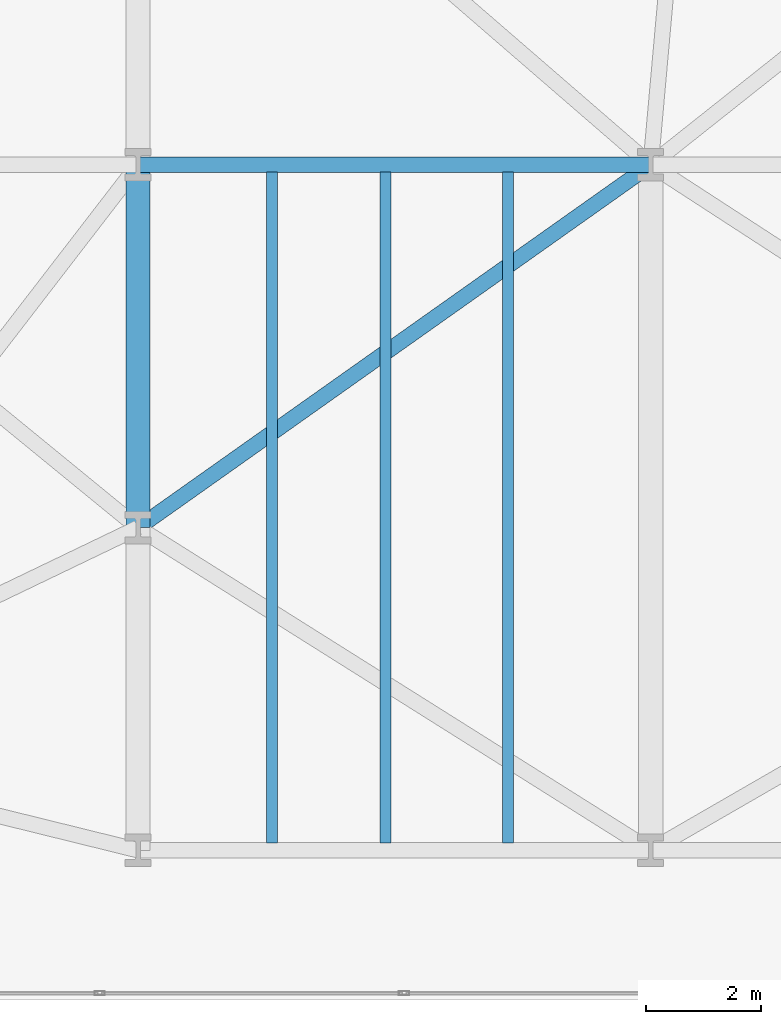
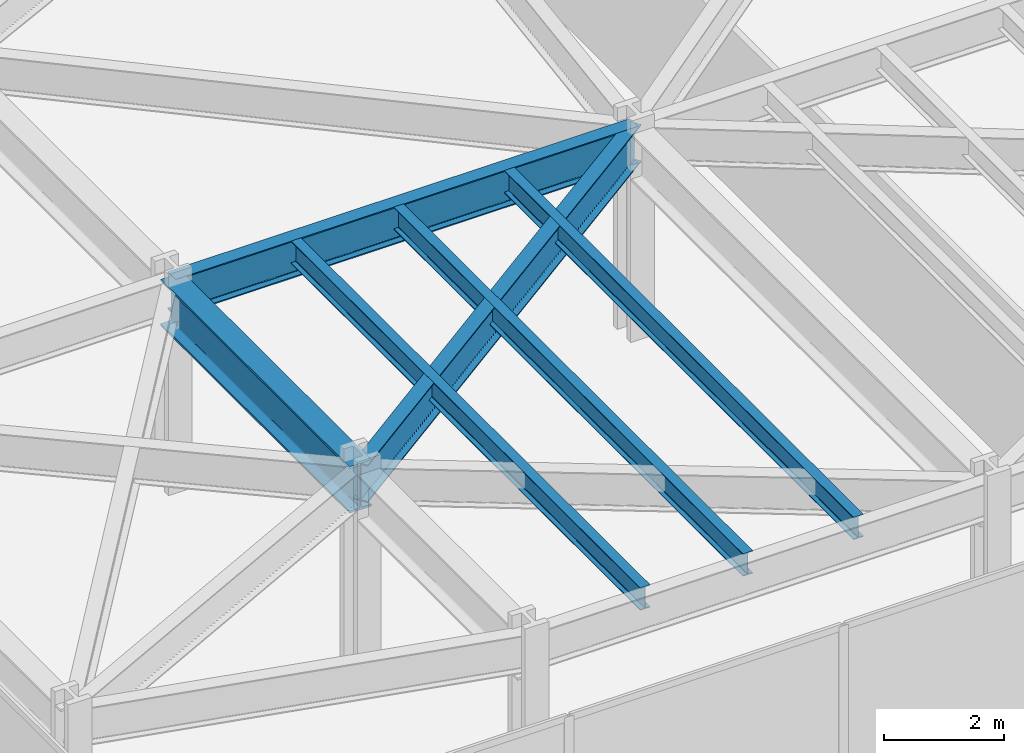
# One storey, part 5 of 28: 6 beams.
"""IFC4 building model written with IfcOpenShell, lengths in metres."""

import ifcopenshell
import ifcopenshell.guid

model = None  # the IFC model being written
_history = None  # IfcOwnerHistory: only IFC2X3 demands one
_inside = {}  # id of a spatial element -> (the spatial element, [elements in it])
_under = {}  # id of a project, library or spatial element -> (it, [spatial elements below it])
_declared = {}  # id of a project -> (the project, [libraries it declares])
_typed = {}  # id of a type object -> (the type object, [elements of that type])
_made_of = {}  # id of a material, layer set ... -> (it, [elements and type objects made of it])


def new_model(schema):
    """Start an empty IFC model of exactly this schema.

    Asked for "IFC4X3", IfcOpenShell would pick the latest addendum, in which some entities
    have other attributes; the version numbers below select the first issue.
    IFC2X3 requires an IfcOwnerHistory on every rooted entity: one is made here for all.
    """
    global model, _history
    if schema == "IFC4X3":
        model = ifcopenshell.file(schema_version=(4, 3, 0, 0))
    else:
        model = ifcopenshell.file(schema=schema)
    _inside.clear()
    _under.clear()
    _declared.clear()
    _typed.clear()
    _made_of.clear()
    _history = None
    if model.schema == "IFC2X3":
        org = make("IfcOrganization", Name="unknown")
        user = make(
            "IfcPersonAndOrganization",
            ThePerson=make("IfcPerson", FamilyName="unknown"),
            TheOrganization=org,
        )
        app = make(
            "IfcApplication",
            ApplicationDeveloper=org,
            Version="unknown",
            ApplicationFullName="unknown",
            ApplicationIdentifier="unknown",
        )
        _history = make(
            "IfcOwnerHistory",
            OwningUser=user,
            OwningApplication=app,
            ChangeAction="ADDED",
            CreationDate=0,
        )
    return model


def make(cls, **values):
    """One entity of the class cls with the attributes given. An attribute that is None is left unset."""
    return model.create_entity(
        cls, **{name: value for name, value in values.items() if value is not None}
    )


def rooted(cls, **values):
    """An entity with a GlobalId (a new one), such as an element, a storey or a relation."""
    return make(cls, GlobalId=ifcopenshell.guid.new(), OwnerHistory=_history, **values)


def si_unit(unit_type, name, prefix=None):
    """IfcSIUnit, for example si_unit("LENGTHUNIT", "METRE", prefix="MILLI")."""
    return make("IfcSIUnit", UnitType=unit_type, Prefix=prefix, Name=name)


def assignment(units):
    """IfcUnitAssignment: the units of a project."""
    return None if units is None else make("IfcUnitAssignment", Units=units)


def point(xyz):
    """IfcCartesianPoint."""
    return None if xyz is None else make("IfcCartesianPoint", Coordinates=xyz)


def direction(xyz):
    """IfcDirection."""
    return None if xyz is None else make("IfcDirection", DirectionRatios=xyz)


def frame(location, z_axis=None, x_axis=None):
    """IfcAxis2Placement3D, a coordinate frame: its origin and axes. An axis left out is left unset."""
    return make(
        "IfcAxis2Placement3D",
        Location=point(location),
        Axis=direction(z_axis),
        RefDirection=direction(x_axis),
    )


def frame_2d(location, x_axis=None):
    """IfcAxis2Placement2D, a coordinate frame in the plane: its origin and x axis."""
    return make(
        "IfcAxis2Placement2D", Location=point(location), RefDirection=direction(x_axis)
    )


def origin():
    """The frame at (0, 0, 0) with its axes left unset."""
    return frame((0.0, 0.0, 0.0))


def origin_2d():
    """The frame at (0, 0) in the plane with its x axis left unset."""
    return frame_2d((0.0, 0.0))


def place(relative_to, where):
    """IfcLocalPlacement: puts the frame where relative to a parent placement (None: the world)."""
    return make(
        "IfcLocalPlacement", PlacementRelTo=relative_to, RelativePlacement=where
    )


def context(
    kind, dimensions, precision=None, world=None, true_north=None, identifier=None
):
    """IfcGeometricRepresentationContext, for example the 3D "Model" context."""
    return make(
        "IfcGeometricRepresentationContext",
        ContextIdentifier=identifier,
        ContextType=kind,
        CoordinateSpaceDimension=dimensions,
        Precision=precision,
        WorldCoordinateSystem=world,
        TrueNorth=true_north,
    )


def subcontext(parent, identifier, kind, view, scale=None):
    """IfcGeometricRepresentationSubContext, for example "Body" below "Model"."""
    return make(
        "IfcGeometricRepresentationSubContext",
        ContextIdentifier=identifier,
        ContextType=kind,
        ParentContext=parent,
        TargetScale=scale,
        TargetView=view,
    )


def project(units=None, contexts=None):
    """IfcProject with its units and contexts."""
    return rooted(
        "IfcProject",
        Name="project",
        RepresentationContexts=contexts,
        UnitsInContext=assignment(units),
    )


def spatial(cls, under=None, at=None, **own):
    """A site, building, storey or space (cls), placed at a placement, below another one or the project."""
    s = rooted(cls, ObjectPlacement=at, **own)
    if under is not None:
        _under.setdefault(under.id(), (under, []))[1].append(s)
    return s


def profile(cls, at=None, kind="AREA", **sizes):
    """A parametric profile (cls). Its sizes go by their IFC names, for example OverallWidth=200.0."""
    return make(cls, ProfileType=kind, Position=at, **sizes)


def i_section(**sizes):
    """IfcIShapeProfileDef."""
    return profile("IfcIShapeProfileDef", **sizes)


def extrude(swept, where, along, depth):
    """IfcExtrudedAreaSolid: the profile swept, set in the frame where, extruded along a direction by depth."""
    return make(
        "IfcExtrudedAreaSolid",
        SweptArea=swept,
        Position=where,
        ExtrudedDirection=direction(along),
        Depth=depth,
    )


def shape(context_of_items, identifier, shape_type, items):
    """IfcShapeRepresentation: the items that make up one representation, for example the "Body"."""
    return make(
        "IfcShapeRepresentation",
        ContextOfItems=context_of_items,
        RepresentationIdentifier=identifier,
        RepresentationType=shape_type,
        Items=items,
    )


def material(Name=None, Category=None):
    """IfcMaterial."""
    return make("IfcMaterial", Name=Name, Category=Category)


def material_profile(
    of_material, cross_section, Name=None, Category=None, Priority=None
):
    """IfcMaterialProfile: a cross section and its material."""
    return make(
        "IfcMaterialProfile",
        Name=Name,
        Material=of_material,
        Profile=cross_section,
        Priority=Priority,
        Category=Category,
    )


def profile_set(profiles, Name=None, composite=None):
    """IfcMaterialProfileSet."""
    return make(
        "IfcMaterialProfileSet",
        Name=Name,
        MaterialProfiles=profiles,
        CompositeProfile=composite,
    )


def made_of(thing, what):
    """Note that an element or type object is made of a material, layer set ...; save() writes the relation."""
    if what is not None:
        _made_of.setdefault(what.id(), (what, []))[1].append(thing)
    return thing


def type_object(cls, material=None, **own):
    """A type object (cls), such as IfcWallType, which elements share."""
    return made_of(rooted(cls, **own), material)


def element(
    cls,
    number,
    at=None,
    inside=None,
    cuts=None,
    type_object=None,
    material=None,
    context=None,
    identifier="Body",
    shape_type=None,
    held_by="IfcProductDefinitionShape",
    body=None,
    shapes=None,
    **own,
):
    """One element of the class cls, such as IfcWall. Its Tag is "e" and its number.

    at: its placement. inside: the storey or other place that contains it. cuts: it is an
    opening in that element (IfcRelVoidsElement). A single representation is given by context,
    identifier, shape_type and body (its items); several are given by shapes. held_by: the class
    of the entity that holds the representations. save() writes the other relations.
    """
    e = rooted(cls, Tag="e%d" % number, ObjectPlacement=at, **own)
    if body is not None:
        shapes = [shape(context, identifier, shape_type, body)]
    if shapes is not None:
        e.Representation = make(held_by, Representations=shapes)
    if inside is not None:
        _inside.setdefault(inside.id(), (inside, []))[1].append(e)
    if cuts is not None:
        rooted(
            "IfcRelVoidsElement", RelatingBuildingElement=cuts, RelatedOpeningElement=e
        )
    if type_object is not None:
        _typed.setdefault(type_object.id(), (type_object, []))[1].append(e)
    return made_of(e, material)


def aggregate(whole, parts):
    """IfcRelAggregates: a whole, such as a stair, and the parts it consists of."""
    return rooted("IfcRelAggregates", RelatingObject=whole, RelatedObjects=parts)


def save(model, path):
    """Write the relations noted so far, then the file.

    IfcRelAggregates (storeys below a building ...), IfcRelContainedInSpatialStructure (elements
    in a storey), IfcRelDefinesByType, IfcRelAssociatesMaterial and IfcRelDeclares: one each for
    every whole, place, type object, material and project.
    """
    for whole, parts in _under.values():
        aggregate(whole, parts)
    for where, things in _inside.values():
        rooted(
            "IfcRelContainedInSpatialStructure",
            RelatedElements=things,
            RelatingStructure=where,
        )
    for kind, things in _typed.values():
        rooted("IfcRelDefinesByType", RelatedObjects=things, RelatingType=kind)
    for what, things in _made_of.values():
        rooted("IfcRelAssociatesMaterial", RelatedObjects=things, RelatingMaterial=what)
    for by, libraries in _declared.values():
        rooted("IfcRelDeclares", RelatingContext=by, RelatedDefinitions=libraries)
    model.write(path)


model = new_model("IFC4")

# Units and contexts
model_context = context("Model", 3, precision=1e-05, world=origin(), true_north=direction((0.0, 1.0)))
body_context = subcontext(model_context, "Body", "Model", "MODEL_VIEW")
ifc_project = project(units=[si_unit("LENGTHUNIT", "METRE"), si_unit("AREAUNIT", "SQUARE_METRE"), si_unit("VOLUMEUNIT", "CUBIC_METRE"), si_unit("PLANEANGLEUNIT", "RADIAN"), si_unit("MASSUNIT", "GRAM", prefix="KILO")], contexts=[model_context])

# Site, building, storey
site_placement = place(None, origin())
site = spatial("IfcSite", under=ifc_project, at=site_placement, CompositionType="ELEMENT")
building_placement = place(site_placement, origin())
building = spatial("IfcBuilding", under=site, at=building_placement, Name="Kravanh Interchange Tower", CompositionType="ELEMENT")
storey_placement = place(building_placement, frame((0.0, 0.0, 15.300048828125)))
storey = spatial("IfcBuildingStorey", under=building, at=storey_placement, Name="L03", CompositionType="ELEMENT", Elevation=15.300048828125)

# Beams
ifc_material_1 = material(Name="Structural Steel S450", Category="steel")
ifc_material_profile_1 = material_profile(ifc_material_1, i_section(OverallWidth=0.423095703125, OverallDepth=0.947998046875, WebThickness=0.02392578125, FlangeThickness=0.042724609375, FilletRadius=0.028076171875, at=origin_2d()), Name="W36X302")
ifc_profile_set_1 = profile_set([ifc_material_profile_1], Name="Structural Steel S450")
beam_type_1 = type_object("IfcBeamType", Name="Floor Beam W36X302 Structural Steel S450", PredefinedType="BEAM", material=ifc_profile_set_1)
beam_1_placement = place(storey_placement, frame((8.60009765625, 8.199951171875, 3.755859375), z_axis=(0.0, 1.0, 0.0), x_axis=(-1.0, 0.0, 0.0)))
element("IfcBeam", 1, at=beam_1_placement, inside=storey, type_object=beam_type_1, Name="L03 Primary Floor Girder 23", PredefinedType="BEAM", context=body_context, shape_type="SweptSolid", body=[
    extrude(i_section(OverallWidth=0.423095703125, OverallDepth=0.947998046875, WebThickness=0.02392578125, FlangeThickness=0.042724609375, FilletRadius=0.028076171875, at=origin_2d()), origin(), (0.0, 0.0, 1.0), 6.300048828125),
])
ifc_material_2 = material(Name="Structural Steel S355", Category="steel")
ifc_material_profile_2 = material_profile(ifc_material_2, i_section(OverallWidth=0.18994140625, OverallDepth=0.45703125, WebThickness=0.009033203125, FlangeThickness=0.014404296875, FilletRadius=0.01806640625, at=origin_2d()), Name="W18X50")
ifc_profile_set_2 = profile_set([ifc_material_profile_2], Name="Structural Steel S355")
beam_type_2 = type_object("IfcBeamType", Name="Floor Joist W18X50 Structural Steel S355", PredefinedType="JOIST", material=ifc_profile_set_2)
for number, where, z_axis, x_axis, name in (
    (2, (10.922119140625, 2.728515625, 4.00146484375), (0.0, 1.0, 0.0), (-1.0, 0.0, 0.0), "L03 Secondary Floor Joist 1"),
    (3, (12.89794921875, 2.728515625, 4.00146484375), (0.0, 1.0, 0.0), (-1.0, 0.0, 0.0), "L03 Secondary Floor Joist 2"),
    (4, (15.02587890625, 2.728515625, 4.00146484375), (0.0, 1.0, 0.0), (-1.0, 0.0, 0.0), "L03 Secondary Floor Joist 3"),
):
    element("IfcBeam", number, at=place(storey_placement, frame(where, z_axis=z_axis, x_axis=x_axis)), inside=storey, type_object=beam_type_2, Name=name, PredefinedType="JOIST", context=body_context, shape_type="SweptSolid", body=[
        extrude(i_section(OverallWidth=0.18994140625, OverallDepth=0.45703125, WebThickness=0.009033203125, FlangeThickness=0.014404296875, FilletRadius=0.01806640625, at=origin_2d()), origin(), (0.0, 0.0, 1.0), 11.64306640625),
    ])
ifc_material_3 = material(Name="Structural Steel S355", Category="steel")
ifc_material_profile_3 = material_profile(ifc_material_3, i_section(OverallWidth=0.26708984375, OverallDepth=0.761962890625, WebThickness=0.014404296875, FlangeThickness=0.021484375, FilletRadius=0.02490234375, at=origin_2d()), Name="W30X116")
ifc_profile_set_3 = profile_set([ifc_material_profile_3], Name="Structural Steel S355")
beam_type_3 = type_object("IfcBeamType", Name="Floor Spandrel W30X116 Structural Steel S355", PredefinedType="SPANDREL", material=ifc_profile_set_3)
beam_2_placement = place(storey_placement, frame((8.60009765625, 8.199951171875, 3.848876953125), z_axis=(0.816199576272, 0.577770068187, 0.0), x_axis=(-0.577770068187, 0.816199576272, 0.0)))
element("IfcBeam", 5, at=beam_2_placement, inside=storey, type_object=beam_type_3, Name="L03 Perimeter Spandrel 26", PredefinedType="SPANDREL", context=body_context, shape_type="SweptSolid", body=[
    extrude(i_section(OverallWidth=0.26708984375, OverallDepth=0.761962890625, WebThickness=0.014404296875, FlangeThickness=0.021484375, FilletRadius=0.02490234375, at=origin_2d()), origin(), (0.0, 0.0, 1.0), 10.904052734375),
])
beam_3_placement = place(storey_placement, frame((8.60009765625, 14.5, 3.848876953125), z_axis=(1.0, 0.0, 0.0), x_axis=(0.0, 1.0, 0.0)))
element("IfcBeam", 6, at=beam_3_placement, inside=storey, type_object=beam_type_3, Name="L03 Perimeter Spandrel 39", PredefinedType="SPANDREL", context=body_context, shape_type="SweptSolid", body=[
    extrude(i_section(OverallWidth=0.26708984375, OverallDepth=0.761962890625, WebThickness=0.014404296875, FlangeThickness=0.021484375, FilletRadius=0.02490234375, at=origin_2d()), origin(), (0.0, 0.0, 1.0), 8.89990234375),
])

save(model, "model.ifc")
